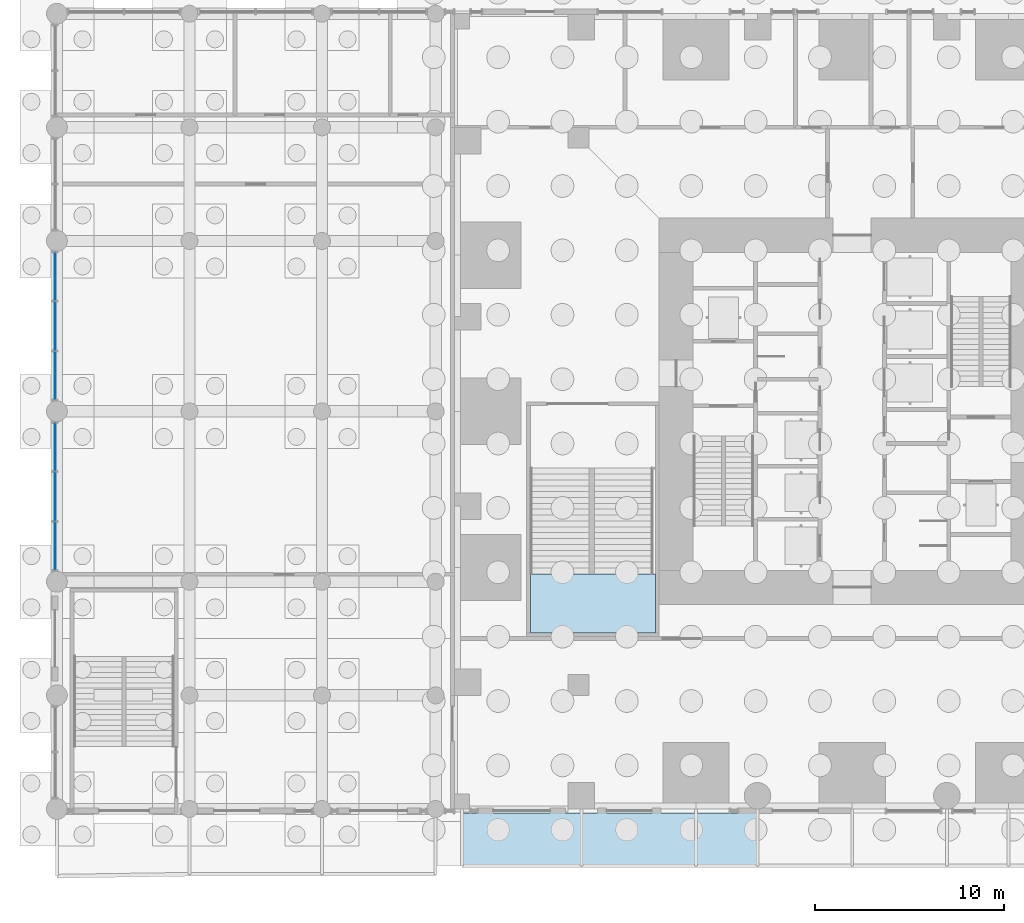
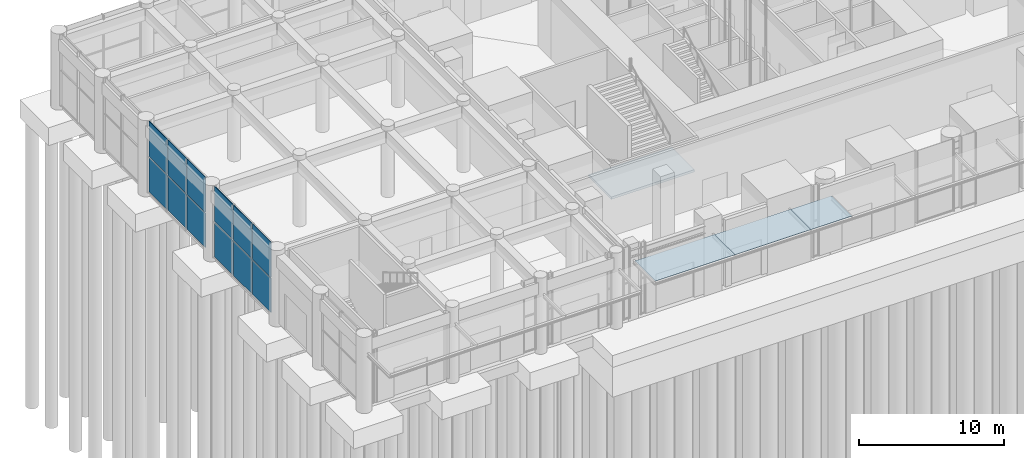
# One storey, part 15 of 46: 15 plates, 1 slab, 3 elements without a shape of their own.
"""IFC4 building model written with IfcOpenShell, lengths in metres."""

from ifc_helpers import new_model, si_unit, direction, frame, origin, origin_2d, place, context, subcontext, project, spatial, polyline, rectangle, outline, extrude, material, layer, layer_set, type_object, element, aggregate, save


model = new_model("IFC4")

# Units and contexts
model_context = context("Model", 3, precision=1e-05, world=origin(), true_north=direction((0.0, 1.0)))
body_context = subcontext(model_context, "Body", "Model", "MODEL_VIEW")
ifc_project = project(units=[si_unit("LENGTHUNIT", "METRE"), si_unit("AREAUNIT", "SQUARE_METRE"), si_unit("VOLUMEUNIT", "CUBIC_METRE"), si_unit("PLANEANGLEUNIT", "RADIAN"), si_unit("MASSUNIT", "GRAM", prefix="KILO")], contexts=[model_context])

# Site, building, storey
site_placement = place(None, origin())
site = spatial("IfcSite", under=ifc_project, at=site_placement, CompositionType="ELEMENT")
building_placement = place(site_placement, origin())
building = spatial("IfcBuilding", under=site, at=building_placement, Name="Svetlomir Tower", CompositionType="ELEMENT")
storey_placement = place(building_placement, origin())
storey = spatial("IfcBuildingStorey", under=building, at=storey_placement, Name="L00", CompositionType="ELEMENT", Elevation=0.0)

# Plates
ifc_material_1 = material(Name="Laminated toughened glass", Category="glass")
ifc_layer_1 = layer(ifc_material_1, 0.02490234375)
ifc_layer_set_1 = layer_set([ifc_layer_1], Name="Laminated toughened glass")
plate_type_1 = type_object("IfcPlateType", Name="CANOPY GLASS 25", PredefinedType="USERDEFINED", material=ifc_layer_set_1)
plate_1_placement = place(storey_placement, frame((3.550048828125, -1.60009765625, 4.650146484375), z_axis=(0.0, 0.0, 1.0), x_axis=(1.0, 0.0, 0.0)))
element("IfcPlate", 1, at=plate_1_placement, inside=storey, type_object=plate_type_1, Name="Canopy glass 0.4 to 6.7", ObjectType="CANOPY GLASS", PredefinedType="USERDEFINED", context=body_context, shape_type="SweptSolid", body=[
    extrude(rectangle(XDim=6.300048828125, YDim=2.800048828125, at=origin_2d()), origin(), (0.0, 0.0, 1.0), 0.02490234375),
])
plate_2_placement = place(storey_placement, frame((9.72509765625, -1.60009765625, 4.650146484375), z_axis=(0.0, 0.0, 1.0), x_axis=(1.0, 0.0, 0.0)))
element("IfcPlate", 2, at=plate_2_placement, inside=storey, type_object=plate_type_1, Name="Canopy glass 6.7 to 12.75", ObjectType="CANOPY GLASS", PredefinedType="USERDEFINED", context=body_context, shape_type="SweptSolid", body=[
    extrude(rectangle(XDim=6.050048828125, YDim=2.800048828125, at=origin_2d()), origin(), (0.0, 0.0, 1.0), 0.02490234375),
])
plate_3_placement = place(storey_placement, frame((14.375, -1.60009765625, 4.650146484375), z_axis=(0.0, 0.0, 1.0), x_axis=(1.0, 0.0, 0.0)))
element("IfcPlate", 3, at=plate_3_placement, inside=storey, type_object=plate_type_1, Name="Canopy glass 12.75 to 16", ObjectType="CANOPY GLASS", PredefinedType="USERDEFINED", context=body_context, shape_type="SweptSolid", body=[
    extrude(rectangle(XDim=3.25, YDim=2.800048828125, at=origin_2d()), origin(), (0.0, 0.0, 1.0), 0.02490234375),
])

# Curtain wall, plates
ifc_material_2 = material(Name="Bronze anodised aluminium curtain wall", Category="aluminium")
curtain_wall_type = type_object("IfcCurtainWallType", Name="CURTAIN WALL CW5 PODIUM", PredefinedType="NOTDEFINED", material=ifc_material_2)
curtain_wall_1_placement = place(storey_placement, origin())
curtain_wall_1 = element("IfcCurtainWall", 4, at=curtain_wall_1_placement, inside=storey, type_object=curtain_wall_type, Name="Curtain wall CW5 L00", PredefinedType="NOTDEFINED")
ifc_material_3 = material(Name="Tinted double glazed unit", Category="glass")
ifc_layer_2 = layer(ifc_material_3, 0.0400390625)
ifc_layer_set_2 = layer_set([ifc_layer_2], Name="Tinted double glazed unit")
plate_type_2 = type_object("IfcPlateType", Name="CW5 GLAZED PANEL 40", PredefinedType="CURTAIN_PANEL", material=ifc_layer_set_2)
plate_4_placement = place(storey_placement, frame((-21.10009765625, 28.11328125, 0.080078125), z_axis=(0.0, 0.0, 1.0), x_axis=(0.0, -1.0, 0.0)))
plate_4 = element("IfcPlate", 5, at=plate_4_placement, type_object=plate_type_2, Name="CW5 panel 1.1", PredefinedType="CURTAIN_PANEL", context=body_context, shape_type="SweptSolid", body=[
    extrude(rectangle(XDim=2.513427734375, YDim=0.0400390625, at=origin_2d()), origin(), (0.0, 0.0, 1.0), 2.8798828125),
])
plate_5_placement = place(storey_placement, frame((-21.10009765625, 28.11328125, 3.0400390625), z_axis=(0.0, 0.0, 1.0), x_axis=(0.0, -1.0, 0.0)))
plate_5 = element("IfcPlate", 6, at=plate_5_placement, type_object=plate_type_2, Name="CW5 panel 1.2", PredefinedType="CURTAIN_PANEL", context=body_context, shape_type="SweptSolid", body=[
    extrude(rectangle(XDim=2.513427734375, YDim=0.0400390625, at=origin_2d()), origin(), (0.0, 0.0, 1.0), 2.9599609375),
])
plate_6_placement = place(storey_placement, frame((-21.10009765625, 25.5, 0.080078125), z_axis=(0.0, 0.0, 1.0), x_axis=(0.0, -1.0, 0.0)))
plate_6 = element("IfcPlate", 7, at=plate_6_placement, type_object=plate_type_2, Name="CW5 panel 2.1", PredefinedType="CURTAIN_PANEL", context=body_context, shape_type="SweptSolid", body=[
    extrude(rectangle(XDim=2.55322265625, YDim=0.0400390625, at=origin_2d()), origin(), (0.0, 0.0, 1.0), 2.8798828125),
])
plate_7_placement = place(storey_placement, frame((-21.10009765625, 25.5, 3.0400390625), z_axis=(0.0, 0.0, 1.0), x_axis=(0.0, -1.0, 0.0)))
plate_7 = element("IfcPlate", 8, at=plate_7_placement, type_object=plate_type_2, Name="CW5 panel 2.2", PredefinedType="CURTAIN_PANEL", context=body_context, shape_type="SweptSolid", body=[
    extrude(rectangle(XDim=2.55322265625, YDim=0.0400390625, at=origin_2d()), origin(), (0.0, 0.0, 1.0), 2.9599609375),
])
plate_8_placement = place(storey_placement, frame((-21.10009765625, 22.88671875, 0.080078125), z_axis=(0.0, 0.0, 1.0), x_axis=(0.0, -1.0, 0.0)))
plate_8 = element("IfcPlate", 9, at=plate_8_placement, type_object=plate_type_2, Name="CW5 panel 3.1", PredefinedType="CURTAIN_PANEL", context=body_context, shape_type="SweptSolid", body=[
    extrude(rectangle(XDim=2.513427734375, YDim=0.0400390625, at=origin_2d()), origin(), (0.0, 0.0, 1.0), 2.8798828125),
])
plate_9_placement = place(storey_placement, frame((-21.10009765625, 22.88671875, 3.0400390625), z_axis=(0.0, 0.0, 1.0), x_axis=(0.0, -1.0, 0.0)))
plate_9 = element("IfcPlate", 10, at=plate_9_placement, type_object=plate_type_2, Name="CW5 panel 3.2", PredefinedType="CURTAIN_PANEL", context=body_context, shape_type="SweptSolid", body=[
    extrude(rectangle(XDim=2.513427734375, YDim=0.0400390625, at=origin_2d()), origin(), (0.0, 0.0, 1.0), 2.9599609375),
])
aggregate(curtain_wall_1, [plate_4, plate_5, plate_6, plate_7, plate_8, plate_9])

curtain_wall_2_placement = place(storey_placement, origin())
curtain_wall_2 = element("IfcCurtainWall", 11, at=curtain_wall_2_placement, inside=storey, type_object=curtain_wall_type, Name="Curtain wall CW5 L00", PredefinedType="NOTDEFINED")
plate_10_placement = place(storey_placement, frame((-21.10009765625, 19.11328125, 0.080078125), z_axis=(0.0, 0.0, 1.0), x_axis=(0.0, -1.0, 0.0)))
plate_10 = element("IfcPlate", 12, at=plate_10_placement, type_object=plate_type_2, Name="CW5 panel 1.1", PredefinedType="CURTAIN_PANEL", context=body_context, shape_type="SweptSolid", body=[
    extrude(rectangle(XDim=2.513427734375, YDim=0.0400390625, at=origin_2d()), origin(), (0.0, 0.0, 1.0), 2.8798828125),
])
plate_11_placement = place(storey_placement, frame((-21.10009765625, 19.11328125, 3.0400390625), z_axis=(0.0, 0.0, 1.0), x_axis=(0.0, -1.0, 0.0)))
plate_11 = element("IfcPlate", 13, at=plate_11_placement, type_object=plate_type_2, Name="CW5 panel 1.2", PredefinedType="CURTAIN_PANEL", context=body_context, shape_type="SweptSolid", body=[
    extrude(rectangle(XDim=2.513427734375, YDim=0.0400390625, at=origin_2d()), origin(), (0.0, 0.0, 1.0), 2.9599609375),
])
plate_12_placement = place(storey_placement, frame((-21.10009765625, 16.5, 0.080078125), z_axis=(0.0, 0.0, 1.0), x_axis=(0.0, -1.0, 0.0)))
plate_12 = element("IfcPlate", 14, at=plate_12_placement, type_object=plate_type_2, Name="CW5 panel 2.1", PredefinedType="CURTAIN_PANEL", context=body_context, shape_type="SweptSolid", body=[
    extrude(rectangle(XDim=2.55322265625, YDim=0.0400390625, at=origin_2d()), origin(), (0.0, 0.0, 1.0), 2.8798828125),
])
plate_13_placement = place(storey_placement, frame((-21.10009765625, 16.5, 3.0400390625), z_axis=(0.0, 0.0, 1.0), x_axis=(0.0, -1.0, 0.0)))
plate_13 = element("IfcPlate", 15, at=plate_13_placement, type_object=plate_type_2, Name="CW5 panel 2.2", PredefinedType="CURTAIN_PANEL", context=body_context, shape_type="SweptSolid", body=[
    extrude(rectangle(XDim=2.55322265625, YDim=0.0400390625, at=origin_2d()), origin(), (0.0, 0.0, 1.0), 2.9599609375),
])
plate_14_placement = place(storey_placement, frame((-21.10009765625, 13.88671875, 0.080078125), z_axis=(0.0, 0.0, 1.0), x_axis=(0.0, -1.0, 0.0)))
plate_14 = element("IfcPlate", 16, at=plate_14_placement, type_object=plate_type_2, Name="CW5 panel 3.1", PredefinedType="CURTAIN_PANEL", context=body_context, shape_type="SweptSolid", body=[
    extrude(rectangle(XDim=2.513427734375, YDim=0.0400390625, at=origin_2d()), origin(), (0.0, 0.0, 1.0), 2.8798828125),
])
plate_15_placement = place(storey_placement, frame((-21.10009765625, 13.88671875, 3.0400390625), z_axis=(0.0, 0.0, 1.0), x_axis=(0.0, -1.0, 0.0)))
plate_15 = element("IfcPlate", 17, at=plate_15_placement, type_object=plate_type_2, Name="CW5 panel 3.2", PredefinedType="CURTAIN_PANEL", context=body_context, shape_type="SweptSolid", body=[
    extrude(rectangle(XDim=2.513427734375, YDim=0.0400390625, at=origin_2d()), origin(), (0.0, 0.0, 1.0), 2.9599609375),
])
aggregate(curtain_wall_2, [plate_10, plate_11, plate_12, plate_13, plate_14, plate_15])

# Stair, slab
ifc_material_4 = material(Name="Concrete C60/75", Category="concrete")
stair_type = type_object("IfcStairType", Name="EXIT STAIR 6600 RISE 6000", PredefinedType="HALF_TURN_STAIR", material=ifc_material_4)
stair_placement = place(storey_placement, origin())
stair = element("IfcStair", 18, at=stair_placement, inside=storey, type_object=stair_type, Name="Stair P1 L00 to L01", PredefinedType="HALF_TURN_STAIR")
ifc_material_5 = material(Name="Concrete C60/75", Category="concrete")
ifc_layer_3 = layer(ifc_material_5, 0.199951171875)
ifc_layer_set_3 = layer_set([ifc_layer_3], Name="Concrete C60/75")
slab_type = type_object("IfcSlabType", Name="STAIR LANDING 200", PredefinedType="LANDING", material=ifc_layer_set_3)
slab_placement = place(storey_placement, frame((0.0, 0.0, 2.800048828125)))
slab = element("IfcSlab", 19, at=slab_placement, type_object=slab_type, Name="P1 landing 1", PredefinedType="LANDING", context=body_context, shape_type="SweptSolid", body=[
    extrude(outline(polyline([(4.0, 9.300048828125), (10.60009765625, 9.300048828125), (10.60009765625, 12.419921875), (4.0, 12.419921875), (4.0, 9.300048828125)])), origin(), (0.0, 0.0, 1.0), 0.199951171875),
])
aggregate(stair, [slab])

save(model, "model.ifc")
